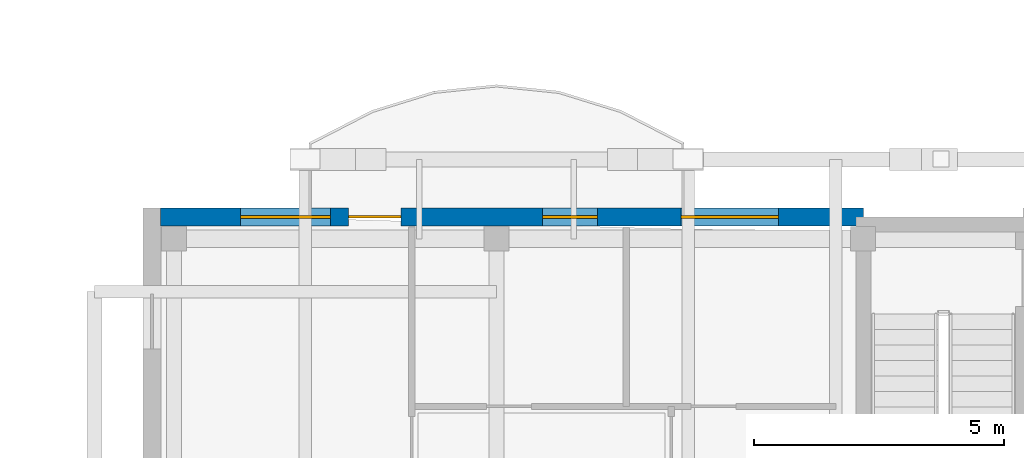
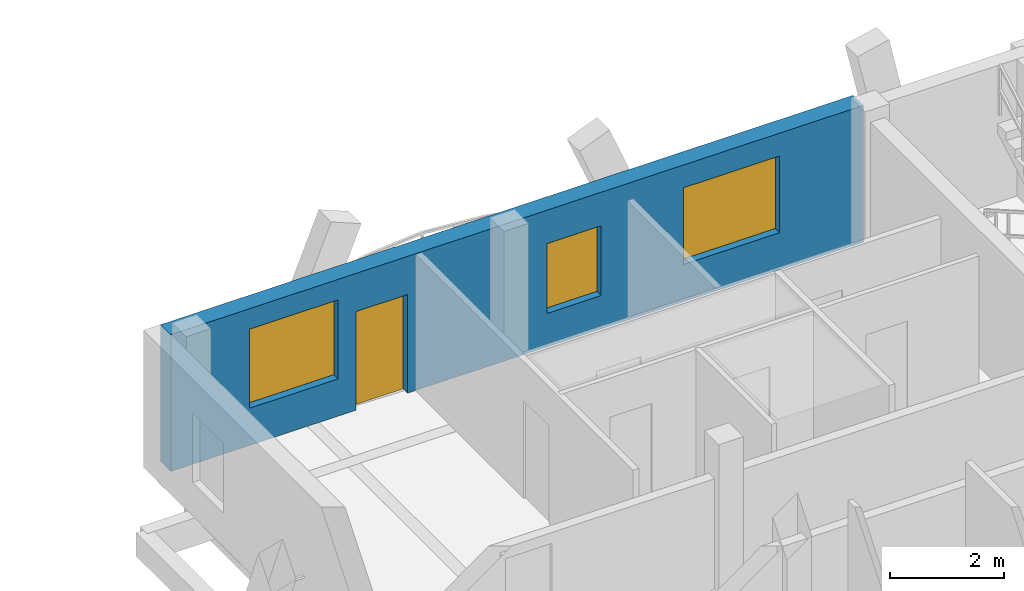
# One storey, part 23 of 50: 3 windows, 1 door, 1 wall, 4 openings.
"""IFC4 building model written with IfcOpenShell, lengths in metres."""

from ifc_helpers import new_model, si_unit, direction, frame, frame_2d, origin, origin_with_axes, place, context, subcontext, project, spatial, rectangle, extrude, material, layer, layer_set, type_object, element, fill, save


model = new_model("IFC4")

# Units and contexts
model_context = context("Model", 3, precision=1e-05, world=origin(), true_north=direction((0.0, 1.0)))
body_context = subcontext(model_context, "Body", "Model", "MODEL_VIEW")
ifc_project = project(units=[si_unit("LENGTHUNIT", "METRE"), si_unit("AREAUNIT", "SQUARE_METRE"), si_unit("VOLUMEUNIT", "CUBIC_METRE"), si_unit("PLANEANGLEUNIT", "RADIAN"), si_unit("MASSUNIT", "GRAM", prefix="KILO")], contexts=[model_context])

# Site, building, storey
site_placement = place(None, origin())
site = spatial("IfcSite", under=ifc_project, at=site_placement, CompositionType="ELEMENT")
building_placement = place(site_placement, origin())
building = spatial("IfcBuilding", under=site, at=building_placement, Name="Zavelmont Quarter", CompositionType="ELEMENT")
storey_placement = place(building_placement, frame((0.0, 0.0, 11.199951171875)))
storey = spatial("IfcBuildingStorey", under=building, at=storey_placement, Name="L03", CompositionType="ELEMENT", Elevation=11.199951171875)

# Wall, openings, door, windows
ifc_material_1 = material(Name="Natural Belgian limestone", Category="masonry")
ifc_layer = layer(ifc_material_1, 0.360107421875)
ifc_layer_set = layer_set([ifc_layer], Name="Natural Belgian limestone")
wall_type = type_object("IfcWallType", Name="EW02", PredefinedType="STANDARD", material=ifc_layer_set)
wall_placement = place(storey_placement, frame((112.969970703125, 18.39990234375, 0.0), z_axis=(0.0, 0.0, 1.0), x_axis=(1.0, 0.0, 0.0)))
wall = element("IfcWall", 1, at=wall_placement, inside=storey, type_object=wall_type, Name="L03 exterior limestone wall EW02", PredefinedType="STANDARD", context=body_context, shape_type="SweptSolid", body=[
    extrude(rectangle(XDim=14.080078125, YDim=0.360107421875, at=frame_2d((7.0400390625, 0.0))), origin(), (0.0, 0.0, 1.0), 2.93994140625),
])
opening_1_placement = place(wall_placement, frame((3.763671875, 0.0, 0.0)))
opening_1 = element("IfcOpeningElement", 2, at=opening_1_placement, cuts=wall, Name="Opening DR04A", PredefinedType="OPENING", context=body_context, shape_type="SweptSolid", body=[
    extrude(rectangle(XDim=1.050048828125, YDim=2.1201171875, at=frame_2d((0.52490234375, 1.06005859375))), frame((0.0, 0.19189453125, 0.0), z_axis=(0.0, -1.0, 0.0), x_axis=(1.0, 0.0, 0.0)), (0.0, 0.0, 1.0), 0.384033203125),
])
opening_2_placement = place(wall_placement, frame((1.60009765625, 0.0, 0.800048828125)))
opening_2 = element("IfcOpeningElement", 3, at=opening_2_placement, cuts=wall, Name="Opening WN02", PredefinedType="OPENING", context=body_context, shape_type="SweptSolid", body=[
    extrude(rectangle(XDim=1.800048828125, YDim=1.699951171875, at=frame_2d((0.89990234375, 0.85009765625))), frame((0.0, 0.19189453125, 0.0), z_axis=(0.0, -1.0, 0.0), x_axis=(1.0, 0.0, 0.0)), (0.0, 0.0, 1.0), 0.384033203125),
])
opening_3_placement = place(wall_placement, frame((7.64990234375, 0.0, 0.719970703125)))
opening_3 = element("IfcOpeningElement", 4, at=opening_3_placement, cuts=wall, Name="Opening WN09", PredefinedType="OPENING", context=body_context, shape_type="SweptSolid", body=[
    extrude(rectangle(XDim=1.10009765625, YDim=1.5, at=frame_2d((0.550048828125, 0.75))), frame((0.0, 0.19189453125, 0.0), z_axis=(0.0, -1.0, 0.0), x_axis=(1.0, 0.0, 0.0)), (0.0, 0.0, 1.0), 0.384033203125),
])
opening_4_placement = place(wall_placement, frame((10.425048828125, 0.0, 0.800048828125)))
opening_4 = element("IfcOpeningElement", 5, at=opening_4_placement, cuts=wall, Name="Opening WN24", PredefinedType="OPENING", context=body_context, shape_type="SweptSolid", body=[
    extrude(rectangle(XDim=1.949951171875, YDim=1.64990234375, at=frame_2d((0.97509765625, 0.824951171875))), frame((0.0, 0.19189453125, 0.0), z_axis=(0.0, -1.0, 0.0), x_axis=(1.0, 0.0, 0.0)), (0.0, 0.0, 1.0), 0.384033203125),
])
ifc_material_2 = material(Name="Thermally broken aluminium and double safety glass", Category="aluminium")
door_type = type_object("IfcDoorType", Name="DR04A", OperationType="NOTDEFINED", PredefinedType="DOOR", material=ifc_material_2)
door_placement = place(opening_1_placement, frame((1.050048828125, 0.0, 0.0), z_axis=(0.0, 0.0, 1.0), x_axis=(-1.0, 0.0, 0.0)))
door = element("IfcDoor", 6, at=door_placement, inside=storey, type_object=door_type, Name="Block D L03 glazed balcony door", OperationType="SINGLE_SWING_LEFT", OverallHeight=2.1201171875, OverallWidth=1.050048828125, PredefinedType="DOOR", context=body_context, shape_type="SweptSolid", body=[
    extrude(rectangle(XDim=1.050048828125, YDim=2.1201171875, at=frame_2d((0.52490234375, 1.06005859375))), frame((0.0, 0.02490234375, 0.0), z_axis=(0.0, -1.0, 0.0), x_axis=(1.0, 0.0, 0.0)), (0.0, 0.0, 1.0), 0.050048828125),
])
fill(opening_1, door)
ifc_material_3 = material(Name="Double low-E insulated glazing in thermally broken aluminium frame", Category="aluminium")
window_type_1 = type_object("IfcWindowType", Name="WN02", PartitioningType="SINGLE_PANEL", PredefinedType="WINDOW", material=ifc_material_3)
window_1_placement = place(opening_2_placement, origin_with_axes())
window_1 = element("IfcWindow", 7, at=window_1_placement, inside=storey, type_object=window_type_1, Name="L03 window WN02", OverallHeight=1.699951171875, OverallWidth=1.800048828125, PartitioningType="SINGLE_PANEL", PredefinedType="WINDOW", context=body_context, shape_type="SweptSolid", body=[
    extrude(rectangle(XDim=1.800048828125, YDim=1.699951171875, at=frame_2d((0.89990234375, 0.85009765625))), frame((0.0, 0.030029296875, 0.0), z_axis=(0.0, -1.0, 0.0), x_axis=(1.0, 0.0, 0.0)), (0.0, 0.0, 1.0), 0.06005859375),
])
fill(opening_2, window_1)
window_type_2 = type_object("IfcWindowType", Name="WN09", PartitioningType="SINGLE_PANEL", PredefinedType="WINDOW", material=ifc_material_3)
window_2_placement = place(opening_3_placement, origin_with_axes())
window_2 = element("IfcWindow", 8, at=window_2_placement, inside=storey, type_object=window_type_2, Name="L03 window WN09", OverallHeight=1.5, OverallWidth=1.10009765625, PartitioningType="SINGLE_PANEL", PredefinedType="WINDOW", context=body_context, shape_type="SweptSolid", body=[
    extrude(rectangle(XDim=1.10009765625, YDim=1.5, at=frame_2d((0.550048828125, 0.75))), frame((0.0, 0.030029296875, 0.0), z_axis=(0.0, -1.0, 0.0), x_axis=(1.0, 0.0, 0.0)), (0.0, 0.0, 1.0), 0.06005859375),
])
fill(opening_3, window_2)
window_type_3 = type_object("IfcWindowType", Name="WN24", PartitioningType="SINGLE_PANEL", PredefinedType="WINDOW", material=ifc_material_3)
window_3_placement = place(opening_4_placement, origin_with_axes())
window_3 = element("IfcWindow", 9, at=window_3_placement, inside=storey, type_object=window_type_3, Name="L03 window WN24", OverallHeight=1.64990234375, OverallWidth=1.949951171875, PartitioningType="SINGLE_PANEL", PredefinedType="WINDOW", context=body_context, shape_type="SweptSolid", body=[
    extrude(rectangle(XDim=1.949951171875, YDim=1.64990234375, at=frame_2d((0.97509765625, 0.824951171875))), frame((0.0, 0.030029296875, 0.0), z_axis=(0.0, -1.0, 0.0), x_axis=(1.0, 0.0, 0.0)), (0.0, 0.0, 1.0), 0.06005859375),
])
fill(opening_4, window_3)

save(model, "model.ifc")
